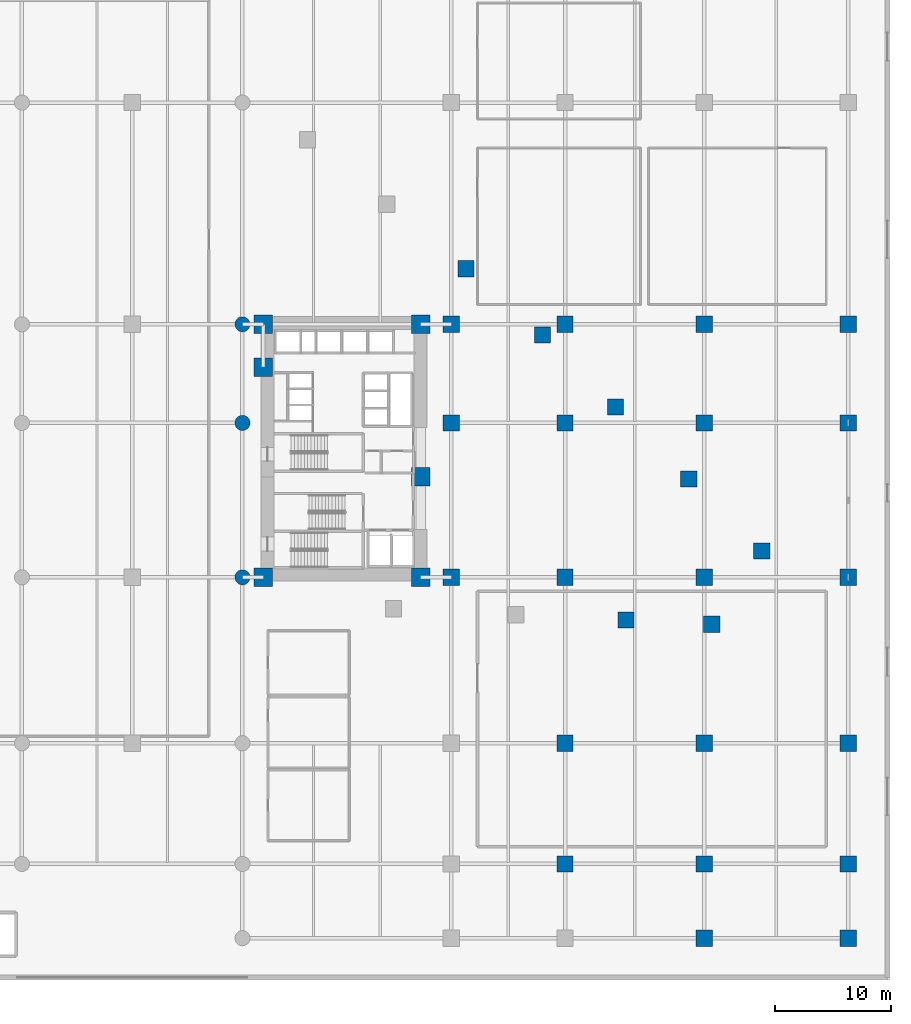
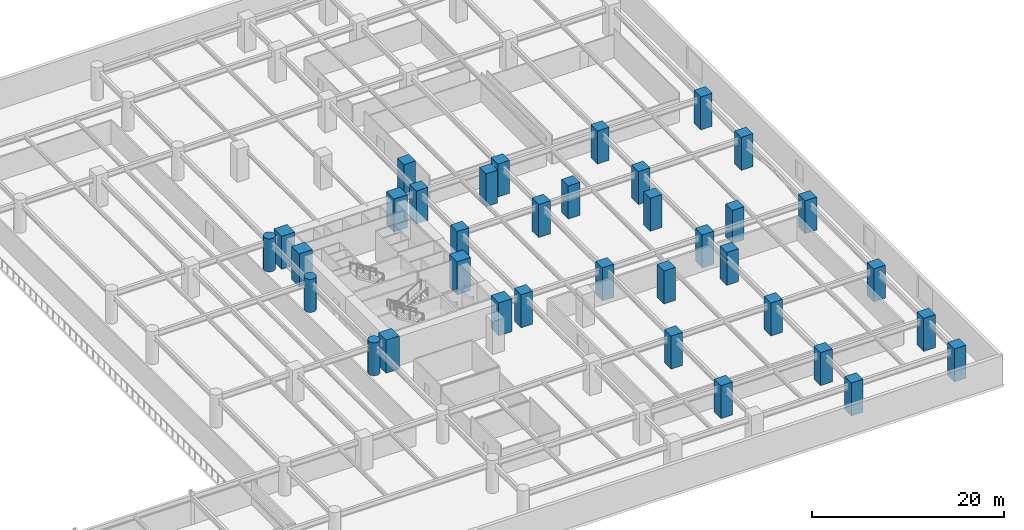
# One storey, part 2 of 20: 36 columns.
"""IFC4 building model written with IfcOpenShell, lengths in metres."""

from ifc_helpers import new_model, si_unit, direction, frame, origin, origin_2d, place, context, subcontext, project, spatial, rectangle, circle, extrude, material, material_profile, profile_set, type_object, element, save


model = new_model("IFC4")

# Units and contexts
model_context = context("Model", 3, precision=1e-05, world=origin(), true_north=direction((0.0, 1.0)))
body_context = subcontext(model_context, "Body", "Model", "MODEL_VIEW")
ifc_project = project(units=[si_unit("LENGTHUNIT", "METRE"), si_unit("AREAUNIT", "SQUARE_METRE"), si_unit("VOLUMEUNIT", "CUBIC_METRE"), si_unit("PLANEANGLEUNIT", "RADIAN"), si_unit("MASSUNIT", "GRAM", prefix="KILO")], contexts=[model_context])

# Site, building, storey
site_placement = place(None, origin())
site = spatial("IfcSite", under=ifc_project, at=site_placement, CompositionType="ELEMENT")
building_placement = place(site_placement, origin())
building = spatial("IfcBuilding", under=site, at=building_placement, Name="Narakoshi Arena Tower", CompositionType="ELEMENT")
storey_placement = place(building_placement, frame((0.0, 0.0, 17.39990234375)))
storey = spatial("IfcBuildingStorey", under=building, at=storey_placement, Name="L04", CompositionType="ELEMENT", Elevation=17.39990234375)

# Columns
ifc_material = material(Name="Concrete C60/75", Category="concrete")
ifc_material_profile_1 = material_profile(ifc_material, circle(Radius=0.64990234375, at=origin_2d()), Name="RCC1300")
ifc_profile_set_1 = profile_set([ifc_material_profile_1], Name="Concrete C60/75")
column_type_1 = type_object("IfcColumnType", Name="COL-CIR1300", PredefinedType="PILASTER", material=ifc_profile_set_1)
for number, where, z_axis, x_axis, name in (
    (1, (70.199951171875, 34.699951171875, 0.0), (0.0, 0.0, 1.0), (1.0, 0.0, 0.0), "L04 Podium Column PC36"),
    (2, (70.199951171875, 48.0, 0.0), (0.0, 0.0, 1.0), (1.0, 0.0, 0.0), "L04 Podium Column PC37"),
    (3, (70.199951171875, 56.5, 0.0), (0.0, 0.0, 1.0), (1.0, 0.0, 0.0), "L04 Podium Column PC38"),
):
    element("IfcColumn", number, at=place(storey_placement, frame(where, z_axis=z_axis, x_axis=x_axis)), inside=storey, type_object=column_type_1, Name=name, PredefinedType="PILASTER", context=body_context, shape_type="SweptSolid", body=[
        extrude(circle(Radius=0.64990234375, at=origin_2d()), origin(), (0.0, 0.0, 1.0), 4.2001953125),
    ])
ifc_material_profile_2 = material_profile(ifc_material, rectangle(XDim=1.39990234375, YDim=1.39990234375, at=origin_2d()), Name="RC1400x1400")
ifc_profile_set_2 = profile_set([ifc_material_profile_2], Name="Concrete C60/75")
column_type_2 = type_object("IfcColumnType", Name="COL-RC1400", PredefinedType="COLUMN", material=ifc_profile_set_2)
for number, where, z_axis, x_axis, name in (
    (4, (88.199951171875, 34.699951171875, 0.0), (0.0, 0.0, 1.0), (1.0, 0.0, 0.0), "L04 Podium Column PC45"),
    (5, (88.199951171875, 48.0, 0.0), (0.0, 0.0, 1.0), (1.0, 0.0, 0.0), "L04 Podium Column PC46"),
    (6, (88.199951171875, 56.5, 0.0), (0.0, 0.0, 1.0), (1.0, 0.0, 0.0), "L04 Podium Column PC47"),
    (7, (98.0, 10.0, 0.0), (0.0, 0.0, 1.0), (1.0, 0.0, 0.0), "L04 Podium Column PC52"),
    (8, (98.0, 20.39990234375, 0.0), (0.0, 0.0, 1.0), (1.0, 0.0, 0.0), "L04 Podium Column PC53"),
    (9, (98.0, 34.699951171875, 0.0), (0.0, 0.0, 1.0), (1.0, 0.0, 0.0), "L04 Podium Column PC54"),
    (10, (98.0, 48.0, 0.0), (0.0, 0.0, 1.0), (1.0, 0.0, 0.0), "L04 Podium Column PC55"),
    (11, (98.0, 56.5, 0.0), (0.0, 0.0, 1.0), (1.0, 0.0, 0.0), "L04 Podium Column PC56"),
    (12, (110.0, 3.60009765625, 0.0), (0.0, 0.0, 1.0), (1.0, 0.0, 0.0), "L04 Podium Column PC60"),
    (13, (110.0, 10.0, 0.0), (0.0, 0.0, 1.0), (1.0, 0.0, 0.0), "L04 Podium Column PC61"),
    (14, (110.0, 20.39990234375, 0.0), (0.0, 0.0, 1.0), (1.0, 0.0, 0.0), "L04 Podium Column PC62"),
    (15, (110.0, 34.699951171875, 0.0), (0.0, 0.0, 1.0), (1.0, 0.0, 0.0), "L04 Podium Column PC63"),
    (16, (110.0, 48.0, 0.0), (0.0, 0.0, 1.0), (1.0, 0.0, 0.0), "L04 Podium Column PC64"),
    (17, (110.0, 56.5, 0.0), (0.0, 0.0, 1.0), (1.0, 0.0, 0.0), "L04 Podium Column PC65"),
    (18, (122.39990234375, 3.60009765625, 0.0), (0.0, 0.0, 1.0), (1.0, 0.0, 0.0), "L04 Podium Column PC69"),
    (19, (122.39990234375, 10.0, 0.0), (0.0, 0.0, 1.0), (1.0, 0.0, 0.0), "L04 Podium Column PC70"),
    (20, (122.39990234375, 20.39990234375, 0.0), (0.0, 0.0, 1.0), (1.0, 0.0, 0.0), "L04 Podium Column PC71"),
    (21, (122.39990234375, 34.699951171875, 0.0), (0.0, 0.0, 1.0), (1.0, 0.0, 0.0), "L04 Podium Column PC72"),
    (22, (122.39990234375, 48.0, 0.0), (0.0, 0.0, 1.0), (1.0, 0.0, 0.0), "L04 Podium Column PC73"),
    (23, (122.39990234375, 56.5, 0.0), (0.0, 0.0, 1.0), (1.0, 0.0, 0.0), "L04 Podium Column PC74"),
    (24, (103.2529296875, 31.0166015625, 0.0), (0.0, 0.0, 1.0), (1.0, 0.0, 0.0), "L04 Tower Plumb Pier B1P03"),
    (25, (110.636474609375, 30.661865234375, 0.0), (0.0, 0.0, 1.0), (1.0, 0.0, 0.0), "L04 Tower Plumb Pier B1P04"),
    (26, (114.942138671875, 36.969970703125, 0.0), (0.0, 0.0, 1.0), (1.0, 0.0, 0.0), "L04 Tower Plumb Pier B1P05"),
    (27, (108.643798828125, 43.171875, 0.0), (0.0, 0.0, 1.0), (1.0, 0.0, 0.0), "L04 Tower Plumb Pier B1P06"),
    (28, (102.345458984375, 49.373779296875, 0.0), (0.0, 0.0, 1.0), (1.0, 0.0, 0.0), "L04 Tower Plumb Pier B1P07"),
    (29, (96.047119140625, 55.57568359375, 0.0), (0.0, 0.0, 1.0), (1.0, 0.0, 0.0), "L04 Tower Plumb Pier B1P08"),
    (30, (89.459716796875, 61.28515625, 0.0), (0.0, 0.0, 1.0), (1.0, 0.0, 0.0), "L04 Tower Plumb Pier B1P09"),
):
    element("IfcColumn", number, at=place(storey_placement, frame(where, z_axis=z_axis, x_axis=x_axis)), inside=storey, type_object=column_type_2, Name=name, PredefinedType="COLUMN", context=body_context, shape_type="SweptSolid", body=[
        extrude(rectangle(XDim=1.39990234375, YDim=1.39990234375, at=origin_2d()), origin(), (0.0, 0.0, 1.0), 4.2001953125),
    ])
ifc_material_profile_3 = material_profile(ifc_material, rectangle(XDim=1.60009765625, YDim=1.60009765625, at=origin_2d()), Name="RC1600x1600")
ifc_profile_set_3 = profile_set([ifc_material_profile_3], Name="Concrete C60/75")
column_type_3 = type_object("IfcColumnType", Name="COL-RC1600", PredefinedType="COLUMN", material=ifc_profile_set_3)
for number, where, z_axis, x_axis, name in (
    (31, (72.0, 34.699951171875, 0.0), (0.0, 0.0, 1.0), (1.0, 0.0, 0.0), "L04 Podium Column CC1"),
    (32, (85.550048828125, 34.699951171875, 0.0), (0.0, 0.0, 1.0), (1.0, 0.0, 0.0), "L04 Podium Column CC2"),
    (33, (85.550048828125, 43.35009765625, 0.0), (0.0, 0.0, 1.0), (1.0, 0.0, 0.0), "L04 Podium Column CC3"),
    (34, (72.0, 52.800048828125, 0.0), (0.0, 0.0, 1.0), (1.0, 0.0, 0.0), "L04 Podium Column CC4"),
    (35, (72.0, 56.5, 0.0), (0.0, 0.0, 1.0), (1.0, 0.0, 0.0), "L04 Podium Column CC5"),
    (36, (85.550048828125, 56.5, 0.0), (0.0, 0.0, 1.0), (1.0, 0.0, 0.0), "L04 Podium Column CC6"),
):
    element("IfcColumn", number, at=place(storey_placement, frame(where, z_axis=z_axis, x_axis=x_axis)), inside=storey, type_object=column_type_3, Name=name, PredefinedType="COLUMN", context=body_context, shape_type="SweptSolid", body=[
        extrude(rectangle(XDim=1.60009765625, YDim=1.60009765625, at=origin_2d()), origin(), (0.0, 0.0, 1.0), 4.2001953125),
    ])

save(model, "model.ifc")
